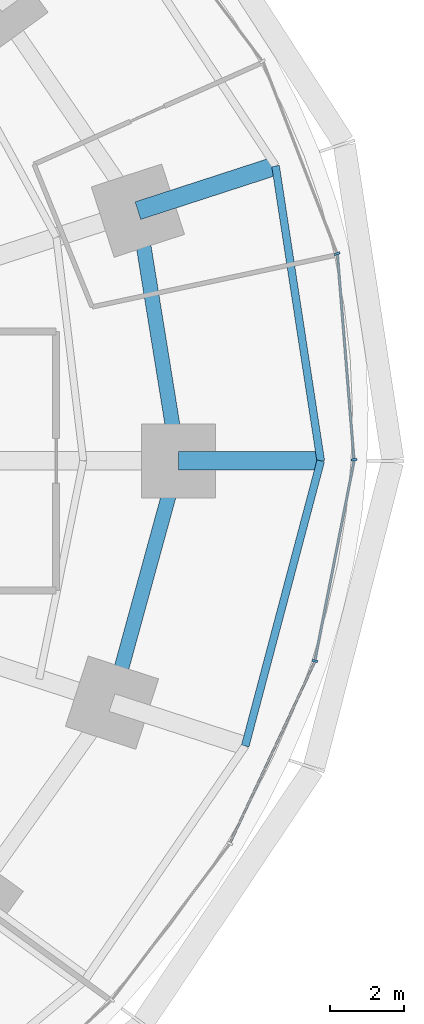
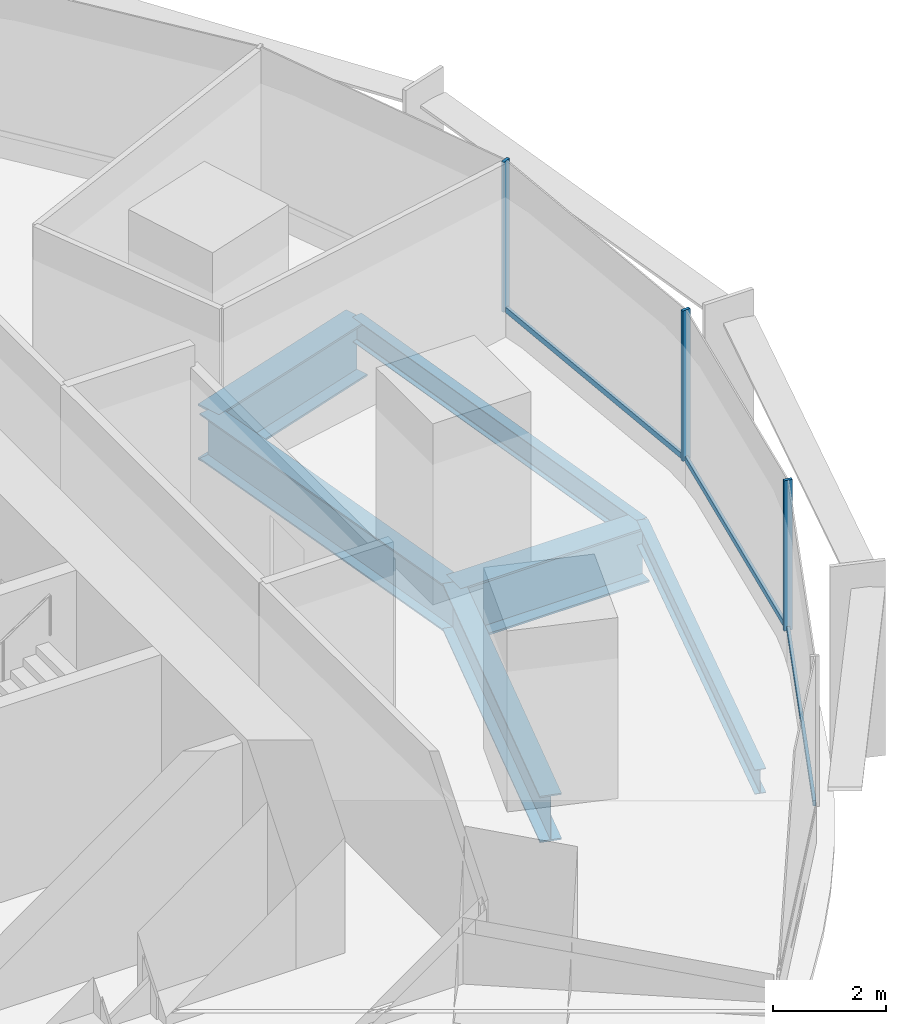
# One storey, part 6 of 15: 6 beams, 6 members, 2 elements without a shape of their own.
"""IFC4 building model written with IfcOpenShell, lengths in metres."""

from ifc_helpers import new_model, si_unit, direction, frame, origin, origin_2d, place, context, subcontext, project, spatial, rectangle, i_section, extrude, material, material_profile, profile_set, type_object, element, aggregate, save


model = new_model("IFC4")

# Units and contexts
model_context = context("Model", 3, precision=1e-05, world=origin(), true_north=direction((0.0, 1.0)))
body_context = subcontext(model_context, "Body", "Model", "MODEL_VIEW")
ifc_project = project(units=[si_unit("LENGTHUNIT", "METRE"), si_unit("AREAUNIT", "SQUARE_METRE"), si_unit("VOLUMEUNIT", "CUBIC_METRE"), si_unit("PLANEANGLEUNIT", "RADIAN"), si_unit("MASSUNIT", "GRAM", prefix="KILO")], contexts=[model_context])

# Site, building, storey
site_placement = place(None, origin())
site = spatial("IfcSite", under=ifc_project, at=site_placement, CompositionType="ELEMENT")
building_placement = place(site_placement, origin())
building = spatial("IfcBuilding", under=site, at=building_placement, Name="Marramba Exchange Tower", CompositionType="ELEMENT")
storey_placement = place(building_placement, frame((0.0, 0.0, 65.800048828125)))
storey = spatial("IfcBuildingStorey", under=building, at=storey_placement, Name="L15", CompositionType="ELEMENT", Elevation=65.800048828125)

# Beams
ifc_material_1 = material(Name="Steel AS/NZS 3679.2 grade 300", Category="steel")
ifc_material_profile_1 = material_profile(ifc_material_1, i_section(OverallWidth=0.5, OverallDepth=1.199951171875, WebThickness=0.01611328125, FlangeThickness=0.0400390625, at=origin_2d()), Name="1200WB455")
ifc_profile_set_1 = profile_set([ifc_material_profile_1], Name="Steel AS/NZS 3679.2 grade 300")
beam_type_1 = type_object("IfcBeamType", Name="Cantilever girder 1200WB455", PredefinedType="BEAM", material=ifc_profile_set_1)
beam_1_placement = place(storey_placement, frame((21.89990234375, 0.0, -0.760009765625), z_axis=(1.0, 0.0, 0.0), x_axis=(0.0, 1.0, 0.0)))
element("IfcBeam", 1, at=beam_1_placement, inside=storey, type_object=beam_type_1, Name="Cantilever girder L15 TC01", PredefinedType="BEAM", context=body_context, shape_type="SweptSolid", body=[
    extrude(i_section(OverallWidth=0.5, OverallDepth=1.199951171875, WebThickness=0.01611328125, FlangeThickness=0.0400390625, at=origin_2d()), origin(), (0.0, 0.0, 1.0), 3.85009765625),
])
beam_2_placement = place(storey_placement, frame((20.808349609375, 6.760986328125, -0.760009765625), z_axis=(0.951058833549, 0.309009862508, 0.0), x_axis=(-0.309009862508, 0.951058833549, 0.0)))
element("IfcBeam", 2, at=beam_2_placement, inside=storey, type_object=beam_type_1, Name="Cantilever girder L15 TC02", PredefinedType="BEAM", context=body_context, shape_type="SweptSolid", body=[
    extrude(i_section(OverallWidth=0.5, OverallDepth=1.199951171875, WebThickness=0.01611328125, FlangeThickness=0.0400390625, at=origin_2d()), origin(), (0.0, 0.0, 1.0), 3.91162109375),
])
ifc_material_profile_2 = material_profile(ifc_material_1, i_section(OverallWidth=0.39990234375, OverallDepth=1.0, WebThickness=0.01611328125, FlangeThickness=0.031982421875, at=origin_2d()), Name="1000WB322")
ifc_profile_set_2 = profile_set([ifc_material_profile_2], Name="Steel AS/NZS 3679.2 grade 300")
beam_type_2 = type_object("IfcBeamType", Name="Ring beam 1000WB322", PredefinedType="SPANDREL", material=ifc_profile_set_2)
beam_3_placement = place(storey_placement, frame((21.89990234375, 0.0, -0.66015625), z_axis=(-0.159384865399, 0.987216523708, 0.0), x_axis=(-0.987216523708, -0.159384865399, 0.0)))
element("IfcBeam", 3, at=beam_3_placement, inside=storey, type_object=beam_type_2, Name="Ring beam L15 TC01-TC02", PredefinedType="SPANDREL", context=body_context, shape_type="SweptSolid", body=[
    extrude(i_section(OverallWidth=0.39990234375, OverallDepth=1.0, WebThickness=0.01611328125, FlangeThickness=0.031982421875, at=origin_2d()), origin(), (0.0, 0.0, 1.0), 6.8486328125),
])
beam_4_placement = place(storey_placement, frame((20.109375, -6.533935546875, -0.66015625), z_axis=(0.264291166956, 0.964442937176, 0.0), x_axis=(-0.964442937176, 0.264291166956, 0.0)))
element("IfcBeam", 4, at=beam_4_placement, inside=storey, type_object=beam_type_2, Name="Ring beam L15 TC20-TC01", PredefinedType="SPANDREL", context=body_context, shape_type="SweptSolid", body=[
    extrude(i_section(OverallWidth=0.39990234375, OverallDepth=1.0, WebThickness=0.01611328125, FlangeThickness=0.031982421875, at=origin_2d()), origin(), (0.0, 0.0, 1.0), 6.77490234375),
])
ifc_material_2 = material(Name="Steel AS/NZS 3679.1 grade 300", Category="steel")
ifc_material_profile_3 = material_profile(ifc_material_2, i_section(OverallWidth=0.208984375, OverallDepth=0.528076171875, WebThickness=0.009521484375, FlangeThickness=0.01318359375, FilletRadius=0.013916015625, at=origin_2d()), Name="530UB82.0")
ifc_profile_set_3 = profile_set([ifc_material_profile_3], Name="Steel AS/NZS 3679.1 grade 300")
beam_type_3 = type_object("IfcBeamType", Name="Slab edge beam 530UB82.0", PredefinedType="SPANDREL", material=ifc_profile_set_3)
beam_5_placement = place(storey_placement, frame((25.75, 0.0, -0.424072265625), z_axis=(-0.151490591645, 0.988458699513, 0.0), x_axis=(-0.988458699513, -0.151490591645, 0.0)))
element("IfcBeam", 5, at=beam_5_placement, inside=storey, type_object=beam_type_3, Name="Slab edge beam L15 TC01-TC02", PredefinedType="SPANDREL", context=body_context, shape_type="SweptSolid", body=[
    extrude(i_section(OverallWidth=0.208984375, OverallDepth=0.528076171875, WebThickness=0.009521484375, FlangeThickness=0.01318359375, FilletRadius=0.013916015625, at=origin_2d()), origin(), (0.0, 0.0, 1.0), 8.062744140625),
])
beam_6_placement = place(storey_placement, frame((23.709716796875, -7.703857421875, -0.424072265625), z_axis=(0.25601296674, 0.966673347549, 0.0), x_axis=(-0.966673347549, 0.25601296674, 0.0)))
element("IfcBeam", 6, at=beam_6_placement, inside=storey, type_object=beam_type_3, Name="Slab edge beam L15 TC20-TC01", PredefinedType="SPANDREL", context=body_context, shape_type="SweptSolid", body=[
    extrude(i_section(OverallWidth=0.208984375, OverallDepth=0.528076171875, WebThickness=0.009521484375, FlangeThickness=0.01318359375, FilletRadius=0.013916015625, at=origin_2d()), origin(), (0.0, 0.0, 1.0), 7.969482421875),
])

# Curtain wall, members
ifc_material_3 = material(Name="Aluminium framing, bronze anodised", Category="aluminium")
curtain_wall_type = type_object("IfcCurtainWallType", Name="Trading floor ribbon curtain wall", PredefinedType="USERDEFINED", material=ifc_material_3)
curtain_wall_1_placement = place(storey_placement, origin())
curtain_wall_1 = element("IfcCurtainWall", 7, at=curtain_wall_1_placement, inside=storey, type_object=curtain_wall_type, Name="Curtain wall CW3 L15 F01-F05", ObjectType="RIBBON CURTAIN WALL", PredefinedType="USERDEFINED")
ifc_material_4 = material(Name="Aluminium mullion, bronze anodised", Category="aluminium")
ifc_material_profile_4 = material_profile(ifc_material_4, rectangle(XDim=0.159912109375, YDim=0.06005859375, at=origin_2d()), Name="CW3 mullion 60x160")
ifc_profile_set_4 = profile_set([ifc_material_profile_4], Name="Aluminium mullion, bronze anodised")
member_type_1 = type_object("IfcMemberType", Name="Trading floor ribbon curtain wall mullion", PredefinedType="MULLION", material=ifc_profile_set_4)
member_1_placement = place(storey_placement, frame((26.647705078125, 0.02978515625, 0.800048828125), z_axis=(0.0, 0.0, 1.0), x_axis=(-0.996772736434, -0.080275225953, 0.0)))
member_1 = element("IfcMember", 8, at=member_1_placement, type_object=member_type_1, Name="CW3 mullion 1", PredefinedType="MULLION", context=body_context, shape_type="SweptSolid", body=[
    extrude(rectangle(XDim=0.159912109375, YDim=0.06005859375, at=origin_2d()), origin(), (0.0, 0.0, 1.0), 3.239990234375),
])
member_2_placement = place(storey_placement, frame((26.190673828125, 5.597412109375, 0.800048828125), z_axis=(0.0, 0.0, 1.0), x_axis=(-0.933135256626, -0.359525510698, 0.0)))
member_2 = element("IfcMember", 9, at=member_2_placement, type_object=member_type_1, Name="CW3 mullion 1", PredefinedType="MULLION", context=body_context, shape_type="SweptSolid", body=[
    extrude(rectangle(XDim=0.159912109375, YDim=0.06005859375, at=origin_2d()), origin(), (0.0, 0.0, 1.0), 3.239990234375),
])

# Curtain wall, member
curtain_wall_2_placement = place(storey_placement, origin())
curtain_wall_2 = element("IfcCurtainWall", 10, at=curtain_wall_2_placement, inside=storey, type_object=curtain_wall_type, Name="Curtain wall CW3 L15 F26-F30", ObjectType="RIBBON CURTAIN WALL", PredefinedType="USERDEFINED")
member_3_placement = place(storey_placement, frame((25.59033203125, -5.40869140625, 0.800048828125), z_axis=(0.0, 0.0, 1.0), x_axis=(-0.981346261612, 0.1922485756, 0.0)))
member_3 = element("IfcMember", 11, at=member_3_placement, type_object=member_type_1, Name="CW3 mullion 1", PredefinedType="MULLION", context=body_context, shape_type="SweptSolid", body=[
    extrude(rectangle(XDim=0.159912109375, YDim=0.06005859375, at=origin_2d()), origin(), (0.0, 0.0, 1.0), 3.239990234375),
])

# Member
ifc_material_5 = material(Name="Aluminium transom, bronze anodised", Category="aluminium")
ifc_material_profile_5 = material_profile(ifc_material_5, rectangle(XDim=0.06005859375, YDim=0.1201171875, at=origin_2d()), Name="CW3 transom 60x120")
ifc_profile_set_5 = profile_set([ifc_material_profile_5], Name="Aluminium transom, bronze anodised")
member_type_2 = type_object("IfcMemberType", Name="Trading floor ribbon curtain wall transom", PredefinedType="USERDEFINED", material=ifc_profile_set_5)
member_4_placement = place(storey_placement, frame((26.645263671875, 0.059814453125, 0.829833984375), z_axis=(-0.080299960686, 0.99677074411, 0.0), x_axis=(-0.99677074411, -0.080299960686, 0.0)))
member_4 = element("IfcMember", 12, at=member_4_placement, type_object=member_type_2, Name="CW3 sill transom", ObjectType="TRANSOM", PredefinedType="USERDEFINED", context=body_context, shape_type="SweptSolid", body=[
    extrude(rectangle(XDim=0.06005859375, YDim=0.1201171875, at=origin_2d()), origin(), (0.0, 0.0, 1.0), 5.52734375),
])

aggregate(curtain_wall_1, [member_1, member_4, member_2])

member_5_placement = place(storey_placement, frame((23.306640625, -10.31103515625, 0.829833984375), z_axis=(0.423511514213, 0.905890720412, 0.0), x_axis=(-0.905890720412, 0.423511514213, 0.0)))
member_5 = element("IfcMember", 13, at=member_5_placement, type_object=member_type_2, Name="CW3 sill transom", ObjectType="TRANSOM", PredefinedType="USERDEFINED", context=body_context, shape_type="SweptSolid", body=[
    extrude(rectangle(XDim=0.06005859375, YDim=0.1201171875, at=origin_2d()), origin(), (0.0, 0.0, 1.0), 5.37890625),
])

member_6_placement = place(storey_placement, frame((25.59619140625, -5.37939453125, 0.829833984375), z_axis=(0.192226081646, 0.981350667975, 0.0), x_axis=(-0.981350667975, 0.192226081646, 0.0)))
member_6 = element("IfcMember", 14, at=member_6_placement, type_object=member_type_2, Name="CW3 sill transom", ObjectType="TRANSOM", PredefinedType="USERDEFINED", context=body_context, shape_type="SweptSolid", body=[
    extrude(rectangle(XDim=0.06005859375, YDim=0.1201171875, at=origin_2d()), origin(), (0.0, 0.0, 1.0), 5.481689453125),
])

aggregate(curtain_wall_2, [member_5, member_3, member_6])

save(model, "model.ifc")
